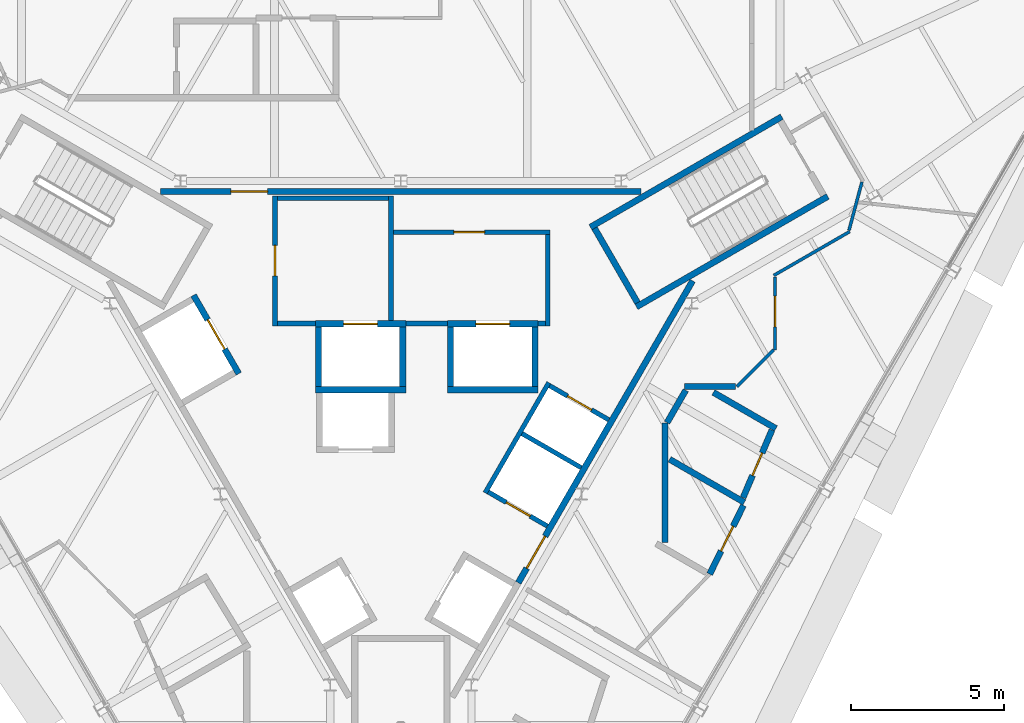
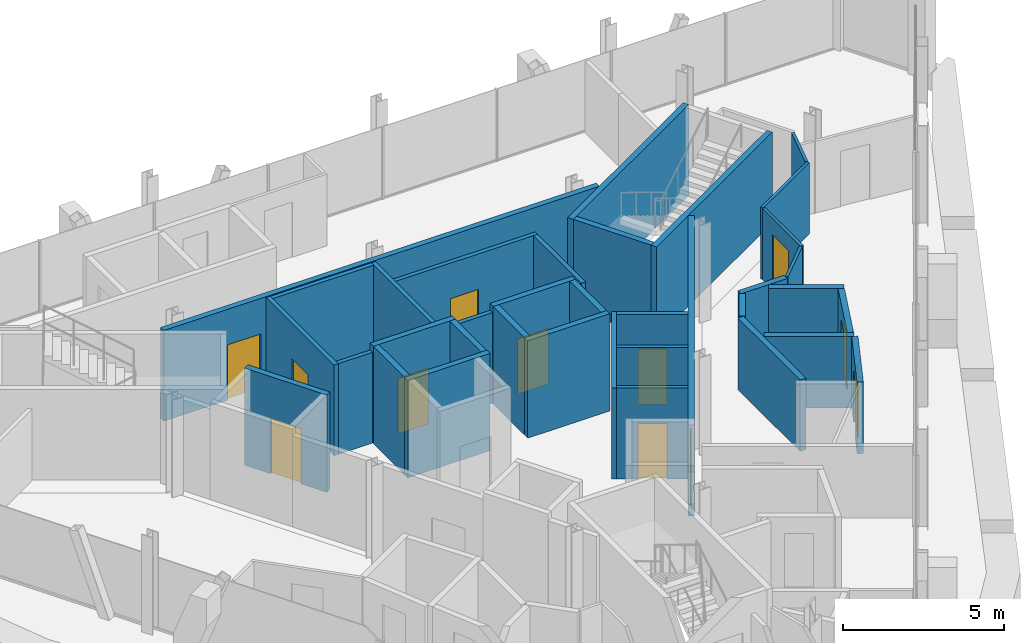
# One storey, part 9 of 11: 37 walls, 12 doors, 12 openings.
"""IFC4 building model written with IfcOpenShell, lengths in metres."""

from ifc_helpers import new_model, si_unit, direction, frame, frame_2d, origin, place, context, subcontext, project, spatial, rectangle, extrude, material, layer, layer_set, type_object, element, fill, save


model = new_model("IFC4")

# Units and contexts
model_context = context("Model", 3, precision=1e-05, world=origin(), true_north=direction((0.0, 1.0)))
body_context = subcontext(model_context, "Body", "Model", "MODEL_VIEW")
ifc_project = project(units=[si_unit("LENGTHUNIT", "METRE"), si_unit("AREAUNIT", "SQUARE_METRE"), si_unit("VOLUMEUNIT", "CUBIC_METRE"), si_unit("PLANEANGLEUNIT", "RADIAN"), si_unit("MASSUNIT", "GRAM", prefix="KILO")], contexts=[model_context])

# Site, building, storey
site_placement = place(None, origin())
site = spatial("IfcSite", under=ifc_project, at=site_placement, CompositionType="ELEMENT")
building_placement = place(site_placement, origin())
building = spatial("IfcBuilding", under=site, at=building_placement, Name="Verrane Prism Tower", CompositionType="ELEMENT")
storey_placement = place(building_placement, frame((0.0, 0.0, 267.699951171875)))
storey = spatial("IfcBuildingStorey", under=building, at=storey_placement, Name="L67", CompositionType="ELEMENT", Elevation=267.699951171875)

# Wall, opening, door
ifc_material_1 = material(Name="Gypsum board partition", Category="other")
ifc_layer_1 = layer(ifc_material_1, 0.199951171875)
ifc_layer_set_1 = layer_set([ifc_layer_1], Name="CW-200 core boundary wall 2 h")
wall_type_1 = type_object("IfcWallType", Name="CW-200 core boundary wall 2 h", PredefinedType="PARTITIONING", material=ifc_layer_set_1)
wall_1_placement = place(storey_placement, frame((7.8291015625, 6.4599609375, 0.0), z_axis=(0.0, 0.0, 1.0), x_axis=(-1.0, 0.0, 0.0)))
wall_1 = element("IfcWall", 1, at=wall_1_placement, inside=storey, type_object=wall_type_1, Name="Core boundary wall CW3-002", PredefinedType="PARTITIONING", context=body_context, shape_type="SweptSolid", body=[
    extrude(rectangle(XDim=15.658203125, YDim=0.199951171875, at=frame_2d((7.8291015625, 0.0))), origin(), (0.0, 0.0, 1.0), 3.449951171875),
])
opening_1_placement = place(wall_1_placement, frame((12.16796875, 0.0, 0.0)))
opening_1 = element("IfcOpeningElement", 2, at=opening_1_placement, cuts=wall_1, Name="Opening D66509", PredefinedType="OPENING", context=body_context, shape_type="SweptSolid", body=[
    extrude(rectangle(XDim=1.199951171875, YDim=2.10009765625, at=frame_2d((0.60009765625, 1.050048828125))), frame((0.0, 0.10986328125, 0.0), z_axis=(0.0, -1.0, 0.0), x_axis=(1.0, 0.0, 0.0)), (0.0, 0.0, 1.0), 0.219970703125),
])
ifc_material_2 = material(Name="Timber veneered door leaf", Category="wood")
door_type_1 = type_object("IfcDoorType", Name="DR-1200x2100 FD60 single leaf lift lobby", OperationType="NOTDEFINED", PredefinedType="DOOR", material=ifc_material_2)
door_1_placement = place(opening_1_placement, origin())
door_1 = element("IfcDoor", 3, at=door_1_placement, inside=storey, type_object=door_type_1, Name="Lift lobby door D66509", OperationType="SINGLE_SWING_RIGHT", OverallHeight=2.10009765625, OverallWidth=1.199951171875, PredefinedType="DOOR", context=body_context, shape_type="SweptSolid", body=[
    extrude(rectangle(XDim=1.199951171875, YDim=2.10009765625, at=frame_2d((0.60009765625, 1.050048828125))), frame((0.0, 0.02490234375, 0.0), z_axis=(0.0, -1.0, 0.0), x_axis=(1.0, 0.0, 0.0)), (0.0, 0.0, 1.0), 0.050048828125),
])
fill(opening_1, door_1)

wall_2_placement = place(storey_placement, frame((3.827880859375, -6.2900390625, 0.0), z_axis=(0.0, 0.0, 1.0), x_axis=(0.499979739078, 0.866037101117, 0.0)))
wall_2 = element("IfcWall", 4, at=wall_2_placement, inside=storey, type_object=wall_type_1, Name="Core boundary wall CW3-006", PredefinedType="PARTITIONING", context=body_context, shape_type="SweptSolid", body=[
    extrude(rectangle(XDim=11.36279296875, YDim=0.199951171875, at=frame_2d((5.681396484375, 0.0))), origin(), (0.0, 0.0, 1.0), 3.449951171875),
])
opening_2_placement = place(wall_2_placement, frame((0.550048828125, 0.0, 0.0)))
opening_2 = element("IfcOpeningElement", 5, at=opening_2_placement, cuts=wall_2, Name="Opening D66514", PredefinedType="OPENING", context=body_context, shape_type="SweptSolid", body=[
    extrude(rectangle(XDim=1.199951171875, YDim=2.10009765625, at=frame_2d((0.60009765625, 1.050048828125))), frame((0.0, 0.10986328125, 0.0), z_axis=(0.0, -1.0, 0.0), x_axis=(1.0, 0.0, 0.0)), (0.0, 0.0, 1.0), 0.219970703125),
])
door_2_placement = place(opening_2_placement, origin())
door_2 = element("IfcDoor", 6, at=door_2_placement, inside=storey, type_object=door_type_1, Name="Lift lobby door D66514", OperationType="SINGLE_SWING_RIGHT", OverallHeight=2.10009765625, OverallWidth=1.199951171875, PredefinedType="DOOR", context=body_context, shape_type="SweptSolid", body=[
    extrude(rectangle(XDim=1.199951171875, YDim=2.10009765625, at=frame_2d((0.60009765625, 1.050048828125))), frame((0.0, 0.02490234375, 0.0), z_axis=(0.0, -1.0, 0.0), x_axis=(1.0, 0.0, 0.0)), (0.0, 0.0, 1.0), 0.050048828125),
])
fill(opening_2, door_2)

# Walls
ifc_material_3 = material(Name="Concrete C40/50", Category="concrete")
ifc_layer_2 = layer(ifc_material_3, 0.199951171875)
ifc_layer_set_2 = layer_set([ifc_layer_2], Name="CW-200 stair core wall concrete C40/50 3 h")
wall_type_2 = type_object("IfcWallType", Name="CW-200 stair core wall concrete C40/50 3 h", PredefinedType="PARTITIONING", material=ifc_layer_set_2)
for number, where, z_axis, x_axis, name in (
    (7, (6.17822265625, 5.299072265625, 0.0), (0.0, 0.0, 1.0), (0.866033125095, 0.499986626058, 0.0), "Stair 1 enclosure wall"),
    (8, (7.67822265625, 2.700927734375, 0.0), (0.0, 0.0, 1.0), (0.866018442252, 0.500012057535, 0.0), "Stair 1 enclosure wall"),
):
    element("IfcWall", number, at=place(storey_placement, frame(where, z_axis=z_axis, x_axis=x_axis)), inside=storey, type_object=wall_type_2, Name=name, PredefinedType="PARTITIONING", context=body_context, shape_type="SweptSolid", body=[
        extrude(rectangle(XDim=7.199951171875, YDim=0.199951171875, at=frame_2d((3.60009765625, 0.0))), origin(), (0.0, 0.0, 1.0), 3.449951171875),
    ])
wall_3_placement = place(storey_placement, frame((7.71484375, 2.837646484375, 0.0), z_axis=(0.0, 0.0, 1.0), x_axis=(-0.500049511043, 0.865996816683, 0.0)))
element("IfcWall", 9, at=wall_3_placement, inside=storey, type_object=wall_type_2, Name="Stair 1 enclosure wall", PredefinedType="PARTITIONING", context=body_context, shape_type="SweptSolid", body=[
    extrude(rectangle(XDim=2.800048828125, YDim=0.199951171875, at=frame_2d((1.39990234375, 0.0))), origin(), (0.0, 0.0, 1.0), 3.449951171875),
])
ifc_material_4 = material(Name="Gypsum board shaft wall assembly", Category="other")
ifc_layer_3 = layer(ifc_material_4, 0.199951171875)
ifc_layer_set_3 = layer_set([ifc_layer_3], Name="HW-200 lift shaft wall 2 h")
wall_type_3 = type_object("IfcWallType", Name="HW-200 lift shaft wall 2 h", PredefinedType="PARTITIONING", material=ifc_layer_set_3)
wall_4_placement = place(storey_placement, frame((-2.784912109375, 0.0, 0.0), z_axis=(0.0, 0.0, 1.0), x_axis=(1.0, 0.0, 0.0)))
element("IfcWall", 10, at=wall_4_placement, inside=storey, type_object=wall_type_3, Name="Lift shaft wall", PredefinedType="PARTITIONING", context=body_context, shape_type="SweptSolid", body=[
    extrude(rectangle(XDim=2.949951171875, YDim=0.199951171875, at=frame_2d((1.47509765625, 0.0))), origin(), (0.0, 0.0, 1.0), 3.699951171875),
])
wall_5_placement = place(storey_placement, frame((1.52490234375, 0.0, 0.0), z_axis=(0.0, 0.0, 1.0), x_axis=(1.0, 0.0, 0.0)))
element("IfcWall", 11, at=wall_5_placement, inside=storey, type_object=wall_type_3, Name="Lift shaft wall", PredefinedType="PARTITIONING", context=body_context, shape_type="SweptSolid", body=[
    extrude(rectangle(XDim=2.9501953125, YDim=0.199951171875, at=frame_2d((1.47509765625, 0.0))), origin(), (0.0, 0.0, 1.0), 3.699951171875),
])

# Wall, opening, door
wall_6_placement = place(storey_placement, frame((-2.784912109375, 2.14990234375, 0.0), z_axis=(0.0, 0.0, 1.0), x_axis=(1.0, 0.0, 0.0)))
wall_6 = element("IfcWall", 12, at=wall_6_placement, inside=storey, type_object=wall_type_3, Name="Lift shaft wall", PredefinedType="PARTITIONING", context=body_context, shape_type="SweptSolid", body=[
    extrude(rectangle(XDim=2.949951171875, YDim=0.199951171875, at=frame_2d((1.47509765625, 0.0))), origin(), (0.0, 0.0, 1.0), 3.699951171875),
])
opening_3_placement = place(wall_6_placement, frame((0.925048828125, 0.0, 0.0)))
opening_3 = element("IfcOpeningElement", 13, at=opening_3_placement, cuts=wall_6, Name="Opening D66506", PredefinedType="OPENING", context=body_context, shape_type="SweptSolid", body=[
    extrude(rectangle(XDim=1.10009765625, YDim=2.10009765625, at=frame_2d((0.550048828125, 1.050048828125))), frame((0.0, 0.10986328125, 0.0), z_axis=(0.0, -1.0, 0.0), x_axis=(1.0, 0.0, 0.0)), (0.0, 0.0, 1.0), 0.219970703125),
])
ifc_material_5 = material(Name="Stainless steel sliding landing door", Category="steel")
door_type_2 = type_object("IfcDoorType", Name="LD-1100x2100 lift landing door FD90 sliding", OperationType="NOTDEFINED", PredefinedType="DOOR", material=ifc_material_5)
door_3_placement = place(opening_3_placement, origin())
door_3 = element("IfcDoor", 14, at=door_3_placement, inside=storey, type_object=door_type_2, Name="Fire service lift 1 landing door", OperationType="SLIDING_TO_LEFT", OverallHeight=2.10009765625, OverallWidth=1.10009765625, PredefinedType="DOOR", context=body_context, shape_type="SweptSolid", body=[
    extrude(rectangle(XDim=1.10009765625, YDim=2.10009765625, at=frame_2d((0.550048828125, 1.050048828125))), frame((0.0, 0.02490234375, 0.0), z_axis=(0.0, -1.0, 0.0), x_axis=(1.0, 0.0, 0.0)), (0.0, 0.0, 1.0), 0.050048828125),
])
fill(opening_3, door_3)

wall_7_placement = place(storey_placement, frame((1.52490234375, 2.14990234375, 0.0), z_axis=(0.0, 0.0, 1.0), x_axis=(1.0, 0.0, 0.0)))
wall_7 = element("IfcWall", 15, at=wall_7_placement, inside=storey, type_object=wall_type_3, Name="Lift shaft wall", PredefinedType="PARTITIONING", context=body_context, shape_type="SweptSolid", body=[
    extrude(rectangle(XDim=2.9501953125, YDim=0.199951171875, at=frame_2d((1.47509765625, 0.0))), origin(), (0.0, 0.0, 1.0), 3.699951171875),
])
opening_4_placement = place(wall_7_placement, frame((0.925048828125, 0.0, 0.0)))
opening_4 = element("IfcOpeningElement", 16, at=opening_4_placement, cuts=wall_7, Name="Opening D66507", PredefinedType="OPENING", context=body_context, shape_type="SweptSolid", body=[
    extrude(rectangle(XDim=1.10009765625, YDim=2.10009765625, at=frame_2d((0.550048828125, 1.050048828125))), frame((0.0, 0.10986328125, 0.0), z_axis=(0.0, -1.0, 0.0), x_axis=(1.0, 0.0, 0.0)), (0.0, 0.0, 1.0), 0.219970703125),
])
door_4_placement = place(opening_4_placement, origin())
door_4 = element("IfcDoor", 17, at=door_4_placement, inside=storey, type_object=door_type_2, Name="Fire service lift 2 landing door", OperationType="SLIDING_TO_RIGHT", OverallHeight=2.10009765625, OverallWidth=1.10009765625, PredefinedType="DOOR", context=body_context, shape_type="SweptSolid", body=[
    extrude(rectangle(XDim=1.10009765625, YDim=2.10009765625, at=frame_2d((0.550048828125, 1.050048828125))), frame((0.0, 0.02490234375, 0.0), z_axis=(0.0, -1.0, 0.0), x_axis=(1.0, 0.0, 0.0)), (0.0, 0.0, 1.0), 0.050048828125),
])
fill(opening_4, door_4)

# Walls
for number, where, z_axis, x_axis, name in (
    (18, (4.375, 0.10009765625, 0.0), (0.0, 0.0, 1.0), (0.0, 1.0, 0.0), "Lift shaft wall"),
    (19, (1.625, 0.10009765625, 0.0), (0.0, 0.0, 1.0), (0.0, 1.0, 0.0), "Lift shaft wall"),
    (20, (0.06494140625, 0.10009765625, 0.0), (0.0, 0.0, 1.0), (0.0, 1.0, 0.0), "Lift shaft wall"),
    (21, (-2.68505859375, 0.10009765625, 0.0), (0.0, 0.0, 1.0), (0.0, 1.0, 0.0), "Lift shaft wall"),
):
    element("IfcWall", number, at=place(storey_placement, frame(where, z_axis=z_axis, x_axis=x_axis)), inside=storey, type_object=wall_type_3, Name=name, PredefinedType="PARTITIONING", context=body_context, shape_type="SweptSolid", body=[
        extrude(rectangle(XDim=1.949951171875, YDim=0.199951171875, at=frame_2d((0.97509765625, 0.0))), origin(), (0.0, 0.0, 1.0), 3.699951171875),
    ])

# Wall, opening, door
wall_8_placement = place(storey_placement, frame((-5.280029296875, 0.525390625, 0.0), z_axis=(0.0, 0.0, 1.0), x_axis=(-0.500037662692, 0.866003658127, 0.0)))
wall_8 = element("IfcWall", 22, at=wall_8_placement, inside=storey, type_object=wall_type_3, Name="Lift shaft wall", PredefinedType="PARTITIONING", context=body_context, shape_type="SweptSolid", body=[
    extrude(rectangle(XDim=2.949951171875, YDim=0.199951171875, at=frame_2d((1.47509765625, 0.0))), origin(), (0.0, 0.0, 1.0), 3.699951171875),
])
opening_5_placement = place(wall_8_placement, frame((0.925048828125, 0.0, 0.0)))
opening_5 = element("IfcOpeningElement", 23, at=opening_5_placement, cuts=wall_8, Name="Opening D66508", PredefinedType="OPENING", context=body_context, shape_type="SweptSolid", body=[
    extrude(rectangle(XDim=1.10009765625, YDim=2.10009765625, at=frame_2d((0.550048828125, 1.050048828125))), frame((0.0, 0.10986328125, 0.0), z_axis=(0.0, -1.0, 0.0), x_axis=(1.0, 0.0, 0.0)), (0.0, 0.0, 1.0), 0.219970703125),
])
door_5_placement = place(opening_5_placement, origin())
door_5 = element("IfcDoor", 24, at=door_5_placement, inside=storey, type_object=door_type_2, Name="Service lift 1 landing door", OperationType="SLIDING_TO_LEFT", OverallHeight=2.10009765625, OverallWidth=1.10009765625, PredefinedType="DOOR", context=body_context, shape_type="SweptSolid", body=[
    extrude(rectangle(XDim=1.10009765625, YDim=2.10009765625, at=frame_2d((0.550048828125, 1.050048828125))), frame((0.0, 0.02490234375, 0.0), z_axis=(0.0, -1.0, 0.0), x_axis=(1.0, 0.0, 0.0)), (0.0, 0.0, 1.0), 0.050048828125),
])
fill(opening_5, door_5)

ifc_material_6 = material(Name="Gypsum board partition", Category="other")
ifc_layer_4 = layer(ifc_material_6, 0.14990234375)
ifc_layer_set_4 = layer_set([ifc_layer_4], Name="LF-150 firefighting lobby wall 1 h")
wall_type_4 = type_object("IfcWallType", Name="LF-150 firefighting lobby wall 1 h", PredefinedType="PARTITIONING", material=ifc_layer_set_4)
wall_9_placement = place(storey_placement, frame((-4.10009765625, 2.0849609375, 0.0), z_axis=(0.0, 0.0, 1.0), x_axis=(0.0, 1.0, 0.0)))
wall_9 = element("IfcWall", 25, at=wall_9_placement, inside=storey, type_object=wall_type_4, Name="Firefighting lobby wall LF1-001", PredefinedType="PARTITIONING", context=body_context, shape_type="SweptSolid", body=[
    extrude(rectangle(XDim=4.22998046875, YDim=0.14990234375, at=frame_2d((2.114990234375, 0.0))), origin(), (0.0, 0.0, 1.0), 3.449951171875),
])
opening_6_placement = place(wall_9_placement, frame((1.625, 0.0, 0.0)))
opening_6 = element("IfcOpeningElement", 26, at=opening_6_placement, cuts=wall_9, Name="Opening D66511", PredefinedType="OPENING", context=body_context, shape_type="SweptSolid", body=[
    extrude(rectangle(XDim=1.0, YDim=2.10009765625, at=frame_2d((0.5, 1.050048828125))), frame((0.0, 0.0849609375, 0.0), z_axis=(0.0, -1.0, 0.0), x_axis=(1.0, 0.0, 0.0)), (0.0, 0.0, 1.0), 0.169921875),
])
ifc_material_7 = material(Name="Timber veneered door leaf", Category="wood")
door_type_3 = type_object("IfcDoorType", Name="DR-1000x2100 FD60 single leaf firefighting lobby", OperationType="NOTDEFINED", PredefinedType="DOOR", material=ifc_material_7)
door_6_placement = place(opening_6_placement, origin())
door_6 = element("IfcDoor", 27, at=door_6_placement, inside=storey, type_object=door_type_3, Name="Firefighting lobby door D66511", OperationType="SINGLE_SWING_RIGHT", OverallHeight=2.10009765625, OverallWidth=1.0, PredefinedType="DOOR", context=body_context, shape_type="SweptSolid", body=[
    extrude(rectangle(XDim=1.0, YDim=2.10009765625, at=frame_2d((0.5, 1.050048828125))), frame((0.0, 0.02490234375, 0.0), z_axis=(0.0, -1.0, 0.0), x_axis=(1.0, 0.0, 0.0)), (0.0, 0.0, 1.0), 0.050048828125),
])
fill(opening_6, door_6)

# Walls
wall_10_placement = place(storey_placement, frame((-4.02490234375, 2.159912109375, 0.0), z_axis=(0.0, 0.0, 1.0), x_axis=(1.0, 0.0, 0.0)))
element("IfcWall", 28, at=wall_10_placement, inside=storey, type_object=wall_type_4, Name="Firefighting lobby wall LF1-002", PredefinedType="PARTITIONING", context=body_context, shape_type="SweptSolid", body=[
    extrude(rectangle(XDim=1.23779296875, YDim=0.14990234375, at=frame_2d((0.618896484375, 0.0))), origin(), (0.0, 0.0, 1.0), 3.449951171875),
])
wall_11_placement = place(storey_placement, frame((-4.02490234375, 6.239990234375, 0.0), z_axis=(0.0, 0.0, 1.0), x_axis=(1.0, 0.0, 0.0)))
element("IfcWall", 29, at=wall_11_placement, inside=storey, type_object=wall_type_4, Name="Firefighting lobby wall LF1-003", PredefinedType="PARTITIONING", context=body_context, shape_type="SweptSolid", body=[
    extrude(rectangle(XDim=3.6298828125, YDim=0.14990234375, at=frame_2d((1.81494140625, 0.0))), origin(), (0.0, 0.0, 1.0), 3.449951171875),
])
wall_12_placement = place(storey_placement, frame((-0.320068359375, 2.251953125, 0.0), z_axis=(0.0, 0.0, 1.0), x_axis=(0.0, 1.0, 0.0)))
element("IfcWall", 30, at=wall_12_placement, inside=storey, type_object=wall_type_4, Name="Firefighting lobby wall LF1-004", PredefinedType="PARTITIONING", context=body_context, shape_type="SweptSolid", body=[
    extrude(rectangle(XDim=4.06298828125, YDim=0.14990234375, at=frame_2d((2.031494140625, 0.0))), origin(), (0.0, 0.0, 1.0), 3.449951171875),
])

# Wall, opening, door
wall_13_placement = place(storey_placement, frame((-0.2451171875, 5.139892578125, 0.0), z_axis=(0.0, 0.0, 1.0), x_axis=(1.0, 0.0, 0.0)))
wall_13 = element("IfcWall", 31, at=wall_13_placement, inside=storey, type_object=wall_type_4, Name="Firefighting lobby wall LF1-005", PredefinedType="PARTITIONING", context=body_context, shape_type="SweptSolid", body=[
    extrude(rectangle(XDim=5.110107421875, YDim=0.14990234375, at=frame_2d((2.55517578125, 0.0))), origin(), (0.0, 0.0, 1.0), 3.449951171875),
])
opening_7_placement = place(wall_13_placement, frame((1.97509765625, 0.0, 0.0)))
opening_7 = element("IfcOpeningElement", 32, at=opening_7_placement, cuts=wall_13, Name="Opening D66512", PredefinedType="OPENING", context=body_context, shape_type="SweptSolid", body=[
    extrude(rectangle(XDim=1.0, YDim=2.10009765625, at=frame_2d((0.5, 1.050048828125))), frame((0.0, 0.0849609375, 0.0), z_axis=(0.0, -1.0, 0.0), x_axis=(1.0, 0.0, 0.0)), (0.0, 0.0, 1.0), 0.169921875),
])
door_7_placement = place(opening_7_placement, origin())
door_7 = element("IfcDoor", 33, at=door_7_placement, inside=storey, type_object=door_type_3, Name="Firefighting lobby door D66512", OperationType="SINGLE_SWING_LEFT", OverallHeight=2.10009765625, OverallWidth=1.0, PredefinedType="DOOR", context=body_context, shape_type="SweptSolid", body=[
    extrude(rectangle(XDim=1.0, YDim=2.10009765625, at=frame_2d((0.5, 1.050048828125))), frame((0.0, 0.02490234375, 0.0), z_axis=(0.0, -1.0, 0.0), x_axis=(1.0, 0.0, 0.0)), (0.0, 0.0, 1.0), 0.050048828125),
])
fill(opening_7, door_7)

# Walls
wall_14_placement = place(storey_placement, frame((0.1669921875, 2.159912109375, 0.0), z_axis=(0.0, 0.0, 1.0), x_axis=(1.0, 0.0, 0.0)))
element("IfcWall", 34, at=wall_14_placement, inside=storey, type_object=wall_type_4, Name="Firefighting lobby wall LF1-006", PredefinedType="PARTITIONING", context=body_context, shape_type="SweptSolid", body=[
    extrude(rectangle(XDim=1.35595703125, YDim=0.14990234375, at=frame_2d((0.677978515625, 0.0))), origin(), (0.0, 0.0, 1.0), 3.449951171875),
])
wall_15_placement = place(storey_placement, frame((4.47705078125, 2.159912109375, 0.0), z_axis=(0.0, 0.0, 1.0), x_axis=(1.0, 0.0, 0.0)))
element("IfcWall", 35, at=wall_15_placement, inside=storey, type_object=wall_type_4, Name="Firefighting lobby wall LF1-007", PredefinedType="PARTITIONING", context=body_context, shape_type="SweptSolid", body=[
    extrude(rectangle(XDim=0.238037109375, YDim=0.14990234375, at=frame_2d((0.119140625, 0.0))), origin(), (0.0, 0.0, 1.0), 3.449951171875),
])
wall_16_placement = place(storey_placement, frame((4.7900390625, 2.0849609375, 0.0), z_axis=(0.0, 0.0, 1.0), x_axis=(0.0, 1.0, 0.0)))
element("IfcWall", 36, at=wall_16_placement, inside=storey, type_object=wall_type_4, Name="Firefighting lobby wall LF1-008", PredefinedType="PARTITIONING", context=body_context, shape_type="SweptSolid", body=[
    extrude(rectangle(XDim=2.97998046875, YDim=0.14990234375, at=frame_2d((1.489990234375, 0.0))), origin(), (0.0, 0.0, 1.0), 3.449951171875),
])
ifc_material_8 = material(Name="Gypsum board partition", Category="other")
ifc_layer_5 = layer(ifc_material_8, 0.10009765625)
ifc_layer_set_5 = layer_set([ifc_layer_5], Name="PW-100 room partition")
wall_type_5 = type_object("IfcWallType", Name="PW-100 room partition", PredefinedType="PARTITIONING", material=ifc_layer_set_5)
wall_17_placement = place(storey_placement, frame((10.948974609375, 0.10107421875, 0.0), z_axis=(0.0, 0.0, 1.0), x_axis=(0.707106781187, 0.707106781187, 0.0)))
element("IfcWall", 37, at=wall_17_placement, inside=storey, type_object=wall_type_5, Name="Room partition 052", PredefinedType="PARTITIONING", context=body_context, shape_type="SweptSolid", body=[
    extrude(rectangle(XDim=1.69775390625, YDim=0.10009765625, at=frame_2d((0.848876953125, 0.0))), origin(), (0.0, 0.0, 1.0), 2.72314453125),
])

# Wall, opening, door
wall_18_placement = place(storey_placement, frame((12.198974609375, 3.681884765625, 0.0), z_axis=(0.0, 0.0, 1.0), x_axis=(0.0, -1.0, 0.0)))
wall_18 = element("IfcWall", 38, at=wall_18_placement, inside=storey, type_object=wall_type_5, Name="Room partition 056", PredefinedType="PARTITIONING", context=body_context, shape_type="SweptSolid", body=[
    extrude(rectangle(XDim=2.380859375, YDim=0.10009765625, at=frame_2d((1.1904296875, 0.0))), origin(), (0.0, 0.0, 1.0), 2.72314453125),
])
opening_8_placement = place(wall_18_placement, frame((0.631103515625, 0.0, 0.0)))
opening_8 = element("IfcOpeningElement", 39, at=opening_8_placement, cuts=wall_18, Name="Opening D66006", PredefinedType="OPENING", context=body_context, shape_type="SweptSolid", body=[
    extrude(rectangle(XDim=1.0, YDim=2.10009765625, at=frame_2d((0.5, 1.050048828125))), frame((0.0, 0.06005859375, 0.0), z_axis=(0.0, -1.0, 0.0), x_axis=(1.0, 0.0, 0.0)), (0.0, 0.0, 1.0), 0.1201171875),
])
ifc_material_9 = material(Name="Timber veneered door leaf", Category="wood")
door_type_4 = type_object("IfcDoorType", Name="DR-1000x2100 single leaf inner", OperationType="NOTDEFINED", PredefinedType="DOOR", material=ifc_material_9)
door_8_placement = place(opening_8_placement, origin())
door_8 = element("IfcDoor", 40, at=door_8_placement, inside=storey, type_object=door_type_4, Name="Entrance Foyer door", OperationType="SINGLE_SWING_LEFT", OverallHeight=2.10009765625, OverallWidth=1.0, PredefinedType="DOOR", context=body_context, shape_type="SweptSolid", body=[
    extrude(rectangle(XDim=1.0, YDim=2.10009765625, at=frame_2d((0.5, 1.050048828125))), frame((0.0, 0.02490234375, 0.0), z_axis=(0.0, -1.0, 0.0), x_axis=(1.0, 0.0, 0.0)), (0.0, 0.0, 1.0), 0.050048828125),
])
fill(opening_8, door_8)

# Walls
wall_19_placement = place(storey_placement, frame((12.15576171875, 3.72705078125, 0.0), z_axis=(0.0, 0.0, 1.0), x_axis=(0.866012137121, 0.500022977831, 0.0)))
element("IfcWall", 41, at=wall_19_placement, inside=storey, type_object=wall_type_5, Name="Room partition 057", PredefinedType="PARTITIONING", context=body_context, shape_type="SweptSolid", body=[
    extrude(rectangle(XDim=2.859619140625, YDim=0.10009765625, at=frame_2d((1.4296875, 0.0))), origin(), (0.0, 0.0, 1.0), 2.72314453125),
])
wall_20_placement = place(storey_placement, frame((14.607177734375, 5.19970703125, 0.0), z_axis=(0.0, 0.0, 1.0), x_axis=(0.258531076101, 0.966002941346, 0.0)))
element("IfcWall", 42, at=wall_20_placement, inside=storey, type_object=wall_type_5, Name="Room partition 060", PredefinedType="PARTITIONING", context=body_context, shape_type="SweptSolid", body=[
    extrude(rectangle(XDim=1.627197265625, YDim=0.10009765625, at=frame_2d((0.8134765625, 0.0))), origin(), (0.0, 0.0, 1.0), 2.72314453125),
])
ifc_material_10 = material(Name="Gypsum board partition", Category="other")
ifc_layer_6 = layer(ifc_material_10, 0.199951171875)
ifc_layer_set_6 = layer_set([ifc_layer_6], Name="PW-200 plumbing wall")
wall_type_6 = type_object("IfcWallType", Name="PW-200 plumbing wall", PredefinedType="PARTITIONING", material=ifc_layer_set_6)
wall_21_placement = place(storey_placement, frame((8.60888671875, -4.968994140625, 0.0), z_axis=(0.0, 0.0, 1.0), x_axis=(0.0, 1.0, 0.0)))
element("IfcWall", 43, at=wall_21_placement, inside=storey, type_object=wall_type_6, Name="Plumbing wall 046", PredefinedType="PARTITIONING", context=body_context, shape_type="SweptSolid", body=[
    extrude(rectangle(XDim=3.881103515625, YDim=0.199951171875, at=frame_2d((1.9404296875, 0.0))), origin(), (0.0, 0.0, 1.0), 2.72314453125),
])
wall_22_placement = place(storey_placement, frame((8.759033203125, -2.2646484375, 0.0), z_axis=(0.0, 0.0, 1.0), x_axis=(0.866098885879, -0.499872703674, 0.0)))
element("IfcWall", 44, at=wall_22_placement, inside=storey, type_object=wall_type_6, Name="Plumbing wall 047", PredefinedType="PARTITIONING", context=body_context, shape_type="SweptSolid", body=[
    extrude(rectangle(XDim=2.813232421875, YDim=0.199951171875, at=frame_2d((1.40673828125, 0.0))), origin(), (0.0, 0.0, 1.0), 2.72314453125),
])
wall_23_placement = place(storey_placement, frame((8.676513671875, -1.071044921875, 0.0), z_axis=(0.0, 0.0, 1.0), x_axis=(0.499803412959, 0.86613887362, 0.0)))
element("IfcWall", 45, at=wall_23_placement, inside=storey, type_object=wall_type_6, Name="Plumbing wall 048", PredefinedType="PARTITIONING", context=body_context, shape_type="SweptSolid", body=[
    extrude(rectangle(XDim=1.21826171875, YDim=0.199951171875, at=frame_2d((0.609130859375, 0.0))), origin(), (0.0, 0.0, 1.0), 2.72314453125),
])
wall_24_placement = place(storey_placement, frame((9.2529296875, 0.10107421875, 0.0), z_axis=(0.0, 0.0, 1.0), x_axis=(1.0, 0.0, 0.0)))
element("IfcWall", 46, at=wall_24_placement, inside=storey, type_object=wall_type_6, Name="Plumbing wall 049", PredefinedType="PARTITIONING", context=body_context, shape_type="SweptSolid", body=[
    extrude(rectangle(XDim=1.6611328125, YDim=0.199951171875, at=frame_2d((0.83056640625, 0.0))), origin(), (0.0, 0.0, 1.0), 2.72314453125),
])
wall_25_placement = place(storey_placement, frame((10.186279296875, -0.085693359375, 0.0), z_axis=(0.0, 0.0, 1.0), x_axis=(0.866024864377, -0.50000093428, 0.0)))
element("IfcWall", 47, at=wall_25_placement, inside=storey, type_object=wall_type_6, Name="Plumbing wall 050", PredefinedType="PARTITIONING", context=body_context, shape_type="SweptSolid", body=[
    extrude(rectangle(XDim=2.3525390625, YDim=0.199951171875, at=frame_2d((1.17626953125, 0.0))), origin(), (0.0, 0.0, 1.0), 2.72314453125),
])

# Wall, opening, door
wall_26_placement = place(storey_placement, frame((10.067626953125, -6.004638671875, 0.0), z_axis=(0.0, 0.0, 1.0), x_axis=(0.440614307878, 0.897696514248, 0.0)))
wall_26 = element("IfcWall", 48, at=wall_26_placement, inside=storey, type_object=wall_type_6, Name="Plumbing wall 051", PredefinedType="PARTITIONING", context=body_context, shape_type="SweptSolid", body=[
    extrude(rectangle(XDim=2.49072265625, YDim=0.199951171875, at=frame_2d((1.245361328125, 0.0))), origin(), (0.0, 0.0, 1.0), 2.72314453125),
])
opening_9_placement = place(wall_26_placement, frame((0.8349609375, 0.0, 0.0)))
opening_9 = element("IfcOpeningElement", 49, at=opening_9_placement, cuts=wall_26, Name="Opening D66007", PredefinedType="OPENING", context=body_context, shape_type="SweptSolid", body=[
    extrude(rectangle(XDim=0.89990234375, YDim=2.10009765625, at=frame_2d((0.449951171875, 1.050048828125))), frame((0.0, 0.10986328125, 0.0), z_axis=(0.0, -1.0, 0.0), x_axis=(1.0, 0.0, 0.0)), (0.0, 0.0, 1.0), 0.219970703125),
])
ifc_material_11 = material(Name="Timber veneered door leaf", Category="wood")
door_type_5 = type_object("IfcDoorType", Name="DR-900x2100 single leaf inner", OperationType="NOTDEFINED", PredefinedType="DOOR", material=ifc_material_11)
door_9_placement = place(opening_9_placement, origin())
door_9 = element("IfcDoor", 50, at=door_9_placement, inside=storey, type_object=door_type_5, Name="Kitchen door", OperationType="SINGLE_SWING_LEFT", OverallHeight=2.10009765625, OverallWidth=0.89990234375, PredefinedType="DOOR", context=body_context, shape_type="SweptSolid", body=[
    extrude(rectangle(XDim=0.89990234375, YDim=2.10009765625, at=frame_2d((0.449951171875, 1.050048828125))), frame((0.0, 0.02490234375, 0.0), z_axis=(0.0, -1.0, 0.0), x_axis=(1.0, 0.0, 0.0)), (0.0, 0.0, 1.0), 0.050048828125),
])
fill(opening_9, door_9)

wall_27_placement = place(storey_placement, frame((11.154052734375, -3.51513671875, 0.0), z_axis=(0.0, 0.0, 1.0), x_axis=(0.392515754301, 0.919745281383, 0.0)))
wall_27 = element("IfcWall", 51, at=wall_27_placement, inside=storey, type_object=wall_type_6, Name="Plumbing wall 053", PredefinedType="PARTITIONING", context=body_context, shape_type="SweptSolid", body=[
    extrude(rectangle(XDim=2.39404296875, YDim=0.199951171875, at=frame_2d((1.197021484375, 0.0))), origin(), (0.0, 0.0, 1.0), 2.72314453125),
])
opening_10_placement = place(wall_27_placement, frame((0.784912109375, 0.0, 0.0)))
opening_10 = element("IfcOpeningElement", 52, at=opening_10_placement, cuts=wall_27, Name="Opening D66009", PredefinedType="OPENING", context=body_context, shape_type="SweptSolid", body=[
    extrude(rectangle(XDim=0.800048828125, YDim=2.10009765625, at=frame_2d((0.39990234375, 1.050048828125))), frame((0.0, 0.10986328125, 0.0), z_axis=(0.0, -1.0, 0.0), x_axis=(1.0, 0.0, 0.0)), (0.0, 0.0, 1.0), 0.219970703125),
])
ifc_material_12 = material(Name="Timber veneered door leaf", Category="wood")
door_type_6 = type_object("IfcDoorType", Name="DR-800x2100 single leaf inner", OperationType="NOTDEFINED", PredefinedType="DOOR", material=ifc_material_12)
door_10_placement = place(opening_10_placement, origin())
door_10 = element("IfcDoor", 53, at=door_10_placement, inside=storey, type_object=door_type_6, Name="Bathroom door", OperationType="SINGLE_SWING_LEFT", OverallHeight=2.10009765625, OverallWidth=0.800048828125, PredefinedType="DOOR", context=body_context, shape_type="SweptSolid", body=[
    extrude(rectangle(XDim=0.800048828125, YDim=2.10009765625, at=frame_2d((0.39990234375, 1.050048828125))), frame((0.0, 0.02490234375, 0.0), z_axis=(0.0, -1.0, 0.0), x_axis=(1.0, 0.0, 0.0)), (0.0, 0.0, 1.0), 0.050048828125),
])
fill(opening_10, door_10)

# Wall
ifc_material_13 = material(Name="Gypsum board partition", Category="other")
ifc_layer_7 = layer(ifc_material_13, 0.14990234375)
ifc_layer_set_7 = layer_set([ifc_layer_7], Name="RS-150 riser enclosure wall 1 h")
wall_type_7 = type_object("IfcWallType", Name="RS-150 riser enclosure wall 1 h", PredefinedType="PARTITIONING", material=ifc_layer_set_7)
wall_28_placement = place(storey_placement, frame((2.74853515625, -3.35888671875, 0.0), z_axis=(0.0, 0.0, 1.0), x_axis=(0.500017827812, 0.866015110648, 0.0)))
element("IfcWall", 54, at=wall_28_placement, inside=storey, type_object=wall_type_7, Name="Riser wall RS3-001", PredefinedType="PARTITIONING", context=body_context, shape_type="SweptSolid", body=[
    extrude(rectangle(XDim=4.149658203125, YDim=0.14990234375, at=frame_2d((2.07470703125, 0.0))), origin(), (0.0, 0.0, 1.0), 3.449951171875),
])

# Wall, opening, door
wall_29_placement = place(storey_placement, frame((2.85107421875, -3.33154296875, 0.0), z_axis=(0.0, 0.0, 1.0), x_axis=(0.866110524189, -0.499852538144, 0.0)))
wall_29 = element("IfcWall", 55, at=wall_29_placement, inside=storey, type_object=wall_type_7, Name="Riser wall RS3-002", PredefinedType="PARTITIONING", context=body_context, shape_type="SweptSolid", body=[
    extrude(rectangle(XDim=2.220458984375, YDim=0.14990234375, at=frame_2d((1.1103515625, 0.0))), origin(), (0.0, 0.0, 1.0), 3.449951171875),
])
opening_11_placement = place(wall_29_placement, frame((0.675048828125, 0.0, 0.0)))
opening_11 = element("IfcOpeningElement", 56, at=opening_11_placement, cuts=wall_29, Name="Opening D66513", PredefinedType="OPENING", context=body_context, shape_type="SweptSolid", body=[
    extrude(rectangle(XDim=0.89990234375, YDim=2.10009765625, at=frame_2d((0.449951171875, 1.050048828125))), frame((0.0, 0.0849609375, 0.0), z_axis=(0.0, -1.0, 0.0), x_axis=(1.0, 0.0, 0.0)), (0.0, 0.0, 1.0), 0.169921875),
])
ifc_material_14 = material(Name="Timber veneered door leaf", Category="wood")
door_type_7 = type_object("IfcDoorType", Name="DR-900x2100 FD60 single leaf riser", OperationType="NOTDEFINED", PredefinedType="DOOR", material=ifc_material_14)
door_11_placement = place(opening_11_placement, origin())
door_11 = element("IfcDoor", 57, at=door_11_placement, inside=storey, type_object=door_type_7, Name="Riser door D66513", OperationType="SINGLE_SWING_RIGHT", OverallHeight=2.10009765625, OverallWidth=0.89990234375, PredefinedType="DOOR", context=body_context, shape_type="SweptSolid", body=[
    extrude(rectangle(XDim=0.89990234375, YDim=2.10009765625, at=frame_2d((0.449951171875, 1.050048828125))), frame((0.0, 0.02490234375, 0.0), z_axis=(0.0, -1.0, 0.0), x_axis=(1.0, 0.0, 0.0)), (0.0, 0.0, 1.0), 0.050048828125),
])
fill(opening_11, door_11)

# Wall
wall_30_placement = place(storey_placement, frame((3.950927734375, -1.426513671875, 0.0), z_axis=(0.0, 0.0, 1.0), x_axis=(0.866062920605, -0.499935013329, 0.0)))
element("IfcWall", 58, at=wall_30_placement, inside=storey, type_object=wall_type_7, Name="Riser wall RS3-003", PredefinedType="PARTITIONING", context=body_context, shape_type="SweptSolid", body=[
    extrude(rectangle(XDim=2.220458984375, YDim=0.14990234375, at=frame_2d((1.1103515625, 0.0))), origin(), (0.0, 0.0, 1.0), 3.449951171875),
])

# Wall, opening, door
wall_31_placement = place(storey_placement, frame((6.774169921875, -0.9775390625, 0.0), z_axis=(0.0, 0.0, 1.0), x_axis=(-0.866062920605, 0.499935013329, 0.0)))
wall_31 = element("IfcWall", 59, at=wall_31_placement, inside=storey, type_object=wall_type_7, Name="Riser wall RS3-004", PredefinedType="PARTITIONING", context=body_context, shape_type="SweptSolid", body=[
    extrude(rectangle(XDim=2.220458984375, YDim=0.14990234375, at=frame_2d((1.1103515625, 0.0))), origin(), (0.0, 0.0, 1.0), 3.449951171875),
])
opening_12_placement = place(wall_31_placement, frame((0.6455078125, 0.0, 0.0)))
opening_12 = element("IfcOpeningElement", 60, at=opening_12_placement, cuts=wall_31, Name="Opening D66515", PredefinedType="OPENING", context=body_context, shape_type="SweptSolid", body=[
    extrude(rectangle(XDim=0.89990234375, YDim=2.10009765625, at=frame_2d((0.449951171875, 1.050048828125))), frame((0.0, 0.0849609375, 0.0), z_axis=(0.0, -1.0, 0.0), x_axis=(1.0, 0.0, 0.0)), (0.0, 0.0, 1.0), 0.169921875),
])
door_12_placement = place(opening_12_placement, origin())
door_12 = element("IfcDoor", 61, at=door_12_placement, inside=storey, type_object=door_type_7, Name="Riser door D66515", OperationType="SINGLE_SWING_RIGHT", OverallHeight=2.10009765625, OverallWidth=0.89990234375, PredefinedType="DOOR", context=body_context, shape_type="SweptSolid", body=[
    extrude(rectangle(XDim=0.89990234375, YDim=2.10009765625, at=frame_2d((0.449951171875, 1.050048828125))), frame((0.0, 0.02490234375, 0.0), z_axis=(0.0, -1.0, 0.0), x_axis=(1.0, 0.0, 0.0)), (0.0, 0.0, 1.0), 0.050048828125),
])
fill(opening_12, door_12)

save(model, "model.ifc")
